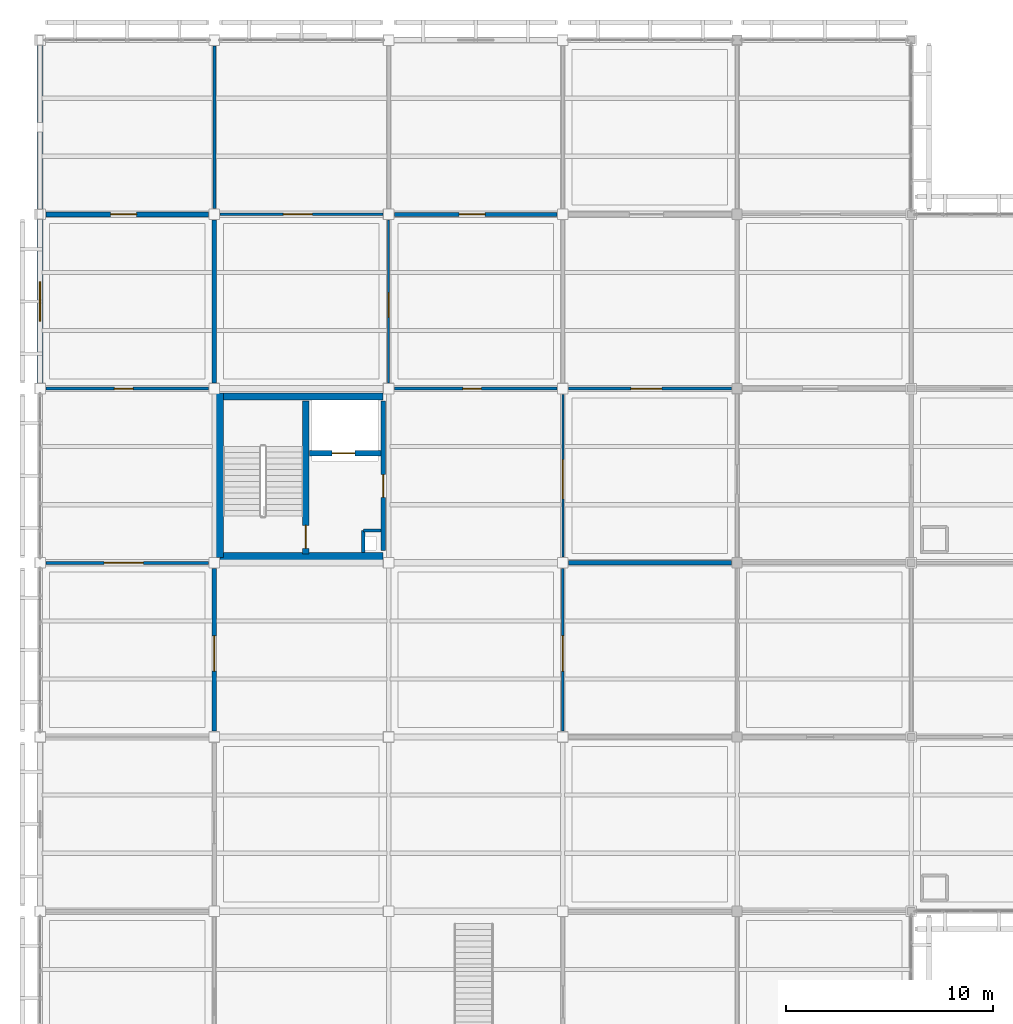
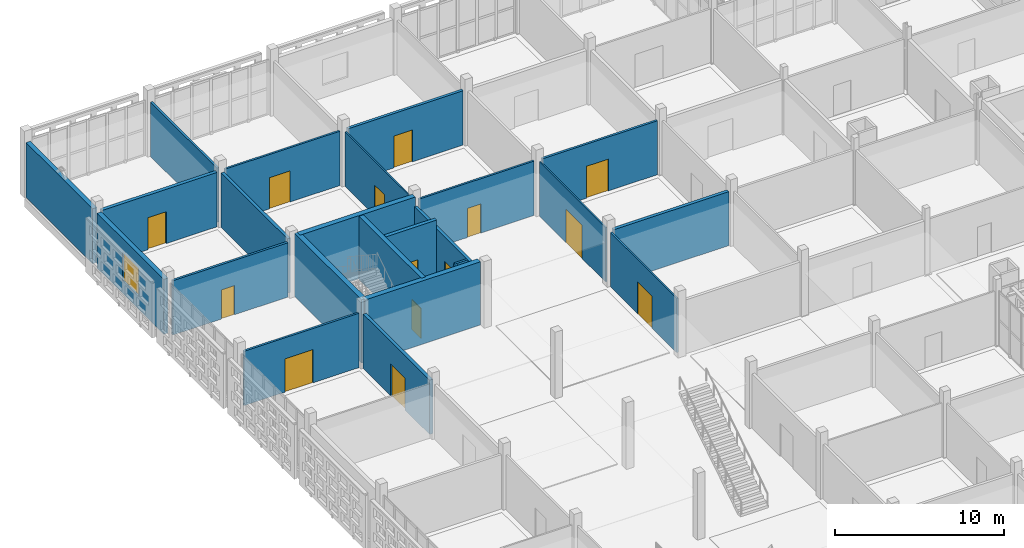
# One storey, part 120 of 203: 24 walls, 14 doors, 1 window, 15 openings.
"""IFC4 building model written with IfcOpenShell, lengths in metres."""

from ifc_helpers import new_model, si_unit, direction, frame, frame_2d, origin, place, context, subcontext, project, spatial, rectangle, extrude, material, layer, layer_set, type_object, element, fill, save


model = new_model("IFC4")

# Units and contexts
model_context = context("Model", 3, precision=1e-05, world=origin(), true_north=direction((0.0, 1.0)))
body_context = subcontext(model_context, "Body", "Model", "MODEL_VIEW")
ifc_project = project(units=[si_unit("LENGTHUNIT", "METRE"), si_unit("AREAUNIT", "SQUARE_METRE"), si_unit("VOLUMEUNIT", "CUBIC_METRE"), si_unit("PLANEANGLEUNIT", "RADIAN"), si_unit("MASSUNIT", "GRAM", prefix="KILO")], contexts=[model_context])

# Site, building, storey
site_placement = place(None, origin())
site = spatial("IfcSite", under=ifc_project, at=site_placement, CompositionType="ELEMENT")
building_placement = place(site_placement, origin())
building = spatial("IfcBuilding", under=site, at=building_placement, Name="Varnapada Polytechnic", CompositionType="ELEMENT")
storey_placement = place(building_placement, frame((0.0, 0.0, 4.800048828125)))
storey = spatial("IfcBuildingStorey", under=building, at=storey_placement, Name="L01", CompositionType="ELEMENT", Elevation=4.800048828125)

# Wall, opening, door
ifc_material_1 = material(Name="Autoclaved Aerated Concrete Block AAC-600", Category="concrete")
ifc_layer_1 = layer(ifc_material_1, 0.199951171875)
ifc_layer_set_1 = layer_set([ifc_layer_1], Name="Autoclaved Aerated Concrete Block AAC-600")
wall_type_1 = type_object("IfcWallType", Name="Interior Wall IW-01", PredefinedType="PARTITIONING", material=ifc_layer_set_1)
wall_1_placement = place(storey_placement, frame((16.5400390625, 108.60009765625, 0.0), z_axis=(0.0, 0.0, 1.0), x_axis=(0.0, -1.0, 0.0)))
wall_1 = element("IfcWall", 1, at=wall_1_placement, inside=storey, type_object=wall_type_1, Name="L01 C1 firefighting lobby east wall", PredefinedType="PARTITIONING", context=body_context, shape_type="SweptSolid", body=[
    extrude(rectangle(XDim=7.2001953125, YDim=0.199951171875, at=frame_2d((3.60009765625, 0.0))), origin(), (0.0, 0.0, 1.0), 3.919921875),
])
opening_1_placement = place(wall_1_placement, frame((3.550048828125, 0.0, 0.0)))
opening_1 = element("IfcOpeningElement", 2, at=opening_1_placement, cuts=wall_1, Name="Opening D-947", PredefinedType="OPENING", context=body_context, shape_type="SweptSolid", body=[
    extrude(rectangle(XDim=1.10009765625, YDim=2.14990234375, at=frame_2d((0.550048828125, 1.074951171875))), frame((0.0, 0.10986328125, 0.0), z_axis=(0.0, -1.0, 0.0), x_axis=(1.0, 0.0, 0.0)), (0.0, 0.0, 1.0), 0.219970703125),
])
ifc_material_2 = material(Name="Galvanized Steel Z275", Category="steel")
door_type_1 = type_object("IfcDoorType", Name="Interior Door ID-01", OperationType="NOTDEFINED", PredefinedType="DOOR", material=ifc_material_2)
door_1_placement = place(opening_1_placement, frame((1.10009765625, 0.0, 0.0), z_axis=(0.0, 0.0, 1.0), x_axis=(-1.0, 0.0, 0.0)))
door_1 = element("IfcDoor", 3, at=door_1_placement, inside=storey, type_object=door_type_1, Name="L01 C1 lobby fire door D-947", OperationType="SINGLE_SWING_LEFT", OverallHeight=2.14990234375, OverallWidth=1.10009765625, PredefinedType="DOOR", context=body_context, shape_type="SweptSolid", body=[
    extrude(rectangle(XDim=1.10009765625, YDim=2.14990234375, at=frame_2d((0.550048828125, 1.074951171875))), frame((0.0, 0.02490234375, 0.0), z_axis=(0.0, -1.0, 0.0), x_axis=(1.0, 0.0, 0.0)), (0.0, 0.0, 1.0), 0.050048828125),
])
fill(opening_1, door_1)

# Walls
ifc_layer_2 = layer(ifc_material_1, 0.14990234375)
ifc_layer_set_2 = layer_set([ifc_layer_2], Name="Autoclaved Aerated Concrete Block AAC-600")
wall_type_2 = type_object("IfcWallType", Name="Interior Wall IW-02", PredefinedType="PARTITIONING", material=ifc_layer_set_2)
wall_2_placement = place(storey_placement, frame((15.580078125, 102.360107421875, 0.0), z_axis=(0.0, 0.0, 1.0), x_axis=(0.0, -1.0, 0.0)))
element("IfcWall", 4, at=wall_2_placement, inside=storey, type_object=wall_type_2, Name="L01 C1 riser shaft west wall", PredefinedType="PARTITIONING", context=body_context, shape_type="SweptSolid", body=[
    extrude(rectangle(XDim=1.06005859375, YDim=0.14990234375, at=frame_2d((0.530029296875, 0.0))), origin(), (0.0, 0.0, 1.0), 3.919921875),
])
wall_3_placement = place(storey_placement, frame((15.580078125, 102.360107421875, 0.0), z_axis=(0.0, 0.0, 1.0), x_axis=(1.0, 0.0, 0.0)))
element("IfcWall", 5, at=wall_3_placement, inside=storey, type_object=wall_type_2, Name="L01 C1 riser shaft north wall", PredefinedType="PARTITIONING", context=body_context, shape_type="SweptSolid", body=[
    extrude(rectangle(XDim=0.85986328125, YDim=0.14990234375, at=frame_2d((0.429931640625, 0.0))), origin(), (0.0, 0.0, 1.0), 3.919921875),
])
wall_4_placement = place(storey_placement, frame((8.39990234375, 117.8798828125, 0.0), z_axis=(0.0, 0.0, 1.0), x_axis=(0.0, 1.0, 0.0)))
element("IfcWall", 6, at=wall_4_placement, inside=storey, type_object=wall_type_2, Name="L01 interior partition IW-L01-00-14-V", PredefinedType="PARTITIONING", context=body_context, shape_type="SweptSolid", body=[
    extrude(rectangle(XDim=7.840087890625, YDim=0.14990234375, at=frame_2d((3.919921875, 0.0))), origin(), (0.0, 0.0, 1.0), 3.919921875),
])

# Wall, opening, door
ifc_material_3 = material(Name="Glazed Timber-Framed Studio Screen", Category="wood")
ifc_layer_3 = layer(ifc_material_3, 0.110107421875)
ifc_layer_set_3 = layer_set([ifc_layer_3], Name="Glazed Timber-Framed Studio Screen")
wall_type_3 = type_object("IfcWallType", Name="Interior Wall IW-07", PredefinedType="PARTITIONING", material=ifc_layer_set_3)
wall_5_placement = place(storey_placement, frame((25.199951171875, 92.679931640625, 0.0), z_axis=(0.0, 0.0, 1.0), x_axis=(0.0, 1.0, 0.0)))
wall_5 = element("IfcWall", 7, at=wall_5_placement, inside=storey, type_object=wall_type_3, Name="L01 interior partition IW-L01-02-11-V", PredefinedType="PARTITIONING", context=body_context, shape_type="SweptSolid", body=[
    extrude(rectangle(XDim=7.840087890625, YDim=0.110107421875, at=frame_2d((3.919921875, 0.0))), origin(), (0.0, 0.0, 1.0), 3.919921875),
])
opening_2_placement = place(wall_5_placement, frame((2.89990234375, 0.0, 0.0)))
opening_2 = element("IfcOpeningElement", 8, at=opening_2_placement, cuts=wall_5, Name="Opening D-980", PredefinedType="OPENING", context=body_context, shape_type="SweptSolid", body=[
    extrude(rectangle(XDim=1.699951171875, YDim=2.300048828125, at=frame_2d((0.85009765625, 1.14990234375))), frame((0.0, 0.06494140625, 0.0), z_axis=(0.0, -1.0, 0.0), x_axis=(1.0, 0.0, 0.0)), (0.0, 0.0, 1.0), 0.130126953125),
])
ifc_material_4 = material(Name="Acoustic Double Timber Leaf", Category="wood")
door_type_2 = type_object("IfcDoorType", Name="Interior Door ID-13", OperationType="NOTDEFINED", PredefinedType="DOOR", material=ifc_material_4)
door_2_placement = place(opening_2_placement, frame((1.699951171875, 0.0, 0.0), z_axis=(0.0, 0.0, 1.0), x_axis=(-1.0, 0.0, 0.0)))
door_2 = element("IfcDoor", 9, at=door_2_placement, inside=storey, type_object=door_type_2, Name="L01 interior room door D-980", OperationType="SINGLE_SWING_LEFT", OverallHeight=2.300048828125, OverallWidth=1.699951171875, PredefinedType="DOOR", context=body_context, shape_type="SweptSolid", body=[
    extrude(rectangle(XDim=1.699951171875, YDim=2.300048828125, at=frame_2d((0.85009765625, 1.14990234375))), frame((0.0, 0.02490234375, 0.0), z_axis=(0.0, -1.0, 0.0), x_axis=(1.0, 0.0, 0.0)), (0.0, 0.0, 1.0), 0.050048828125),
])
fill(opening_2, door_2)

ifc_material_5 = material(Name="Operable Acoustic Seminar Partition")
ifc_layer_4 = layer(ifc_material_5, 0.10009765625)
ifc_layer_set_4 = layer_set([ifc_layer_4], Name="Operable Acoustic Seminar Partition")
wall_type_4 = type_object("IfcWallType", Name="Interior Wall IW-08", PredefinedType="MOVABLE", material=ifc_layer_set_4)
wall_6_placement = place(storey_placement, frame((16.800048828125, 109.47998046875, 0.0), z_axis=(0.0, 0.0, 1.0), x_axis=(0.0, 1.0, 0.0)))
wall_6 = element("IfcWall", 10, at=wall_6_placement, inside=storey, type_object=wall_type_4, Name="L01 interior partition IW-L01-01-13-V", PredefinedType="MOVABLE", context=body_context, shape_type="SweptSolid", body=[
    extrude(rectangle(XDim=7.840087890625, YDim=0.10009765625, at=frame_2d((3.919921875, 0.0))), origin(), (0.0, 0.0, 1.0), 3.919921875),
])
opening_3_placement = place(wall_6_placement, frame((3.14990234375, 0.0, 0.0)))
opening_3 = element("IfcOpeningElement", 11, at=opening_3_placement, cuts=wall_6, Name="Opening D-972", PredefinedType="OPENING", context=body_context, shape_type="SweptSolid", body=[
    extrude(rectangle(XDim=1.199951171875, YDim=2.199951171875, at=frame_2d((0.60009765625, 1.10009765625))), frame((0.0, 0.06005859375, 0.0), z_axis=(0.0, -1.0, 0.0), x_axis=(1.0, 0.0, 0.0)), (0.0, 0.0, 1.0), 0.1201171875),
])
ifc_material_6 = material(Name="Solid Teak Hardwood Timber", Category="wood")
door_type_3 = type_object("IfcDoorType", Name="Interior Door ID-05", OperationType="NOTDEFINED", PredefinedType="DOOR", material=ifc_material_6)
door_3_placement = place(opening_3_placement, origin())
door_3 = element("IfcDoor", 12, at=door_3_placement, inside=storey, type_object=door_type_3, Name="L01 interior room door D-972", OperationType="SINGLE_SWING_LEFT", OverallHeight=2.199951171875, OverallWidth=1.199951171875, PredefinedType="DOOR", context=body_context, shape_type="SweptSolid", body=[
    extrude(rectangle(XDim=1.199951171875, YDim=2.199951171875, at=frame_2d((0.60009765625, 1.10009765625))), frame((0.0, 0.02490234375, 0.0), z_axis=(0.0, -1.0, 0.0), x_axis=(1.0, 0.0, 0.0)), (0.0, 0.0, 1.0), 0.050048828125),
])
fill(opening_3, door_3)

wall_7_placement = place(storey_placement, frame((25.199951171875, 101.080078125, 0.0), z_axis=(0.0, 0.0, 1.0), x_axis=(0.0, 1.0, 0.0)))
wall_7 = element("IfcWall", 13, at=wall_7_placement, inside=storey, type_object=wall_type_4, Name="L01 interior partition IW-L01-02-12-V", PredefinedType="MOVABLE", context=body_context, shape_type="SweptSolid", body=[
    extrude(rectangle(XDim=7.83984375, YDim=0.10009765625, at=frame_2d((3.919921875, 0.0))), origin(), (0.0, 0.0, 1.0), 3.919921875),
])
opening_4_placement = place(wall_7_placement, frame((2.800048828125, 0.0, 0.0)))
opening_4 = element("IfcOpeningElement", 14, at=opening_4_placement, cuts=wall_7, Name="Opening D-981", PredefinedType="OPENING", context=body_context, shape_type="SweptSolid", body=[
    extrude(rectangle(XDim=1.89990234375, YDim=2.39990234375, at=frame_2d((0.949951171875, 1.199951171875))), frame((0.0, 0.06005859375, 0.0), z_axis=(0.0, -1.0, 0.0), x_axis=(1.0, 0.0, 0.0)), (0.0, 0.0, 1.0), 0.1201171875),
])
ifc_material_7 = material(Name="Heavy Workshop Double Steel Door", Category="steel")
door_type_4 = type_object("IfcDoorType", Name="Interior Door ID-14", OperationType="NOTDEFINED", PredefinedType="DOOR", material=ifc_material_7)
door_4_placement = place(opening_4_placement, origin())
door_4 = element("IfcDoor", 15, at=door_4_placement, inside=storey, type_object=door_type_4, Name="L01 interior room door D-981", OperationType="SINGLE_SWING_RIGHT", OverallHeight=2.39990234375, OverallWidth=1.89990234375, PredefinedType="DOOR", context=body_context, shape_type="SweptSolid", body=[
    extrude(rectangle(XDim=1.89990234375, YDim=2.39990234375, at=frame_2d((0.949951171875, 1.199951171875))), frame((0.0, 0.02490234375, 0.0), z_axis=(0.0, -1.0, 0.0), x_axis=(1.0, 0.0, 0.0)), (0.0, 0.0, 1.0), 0.050048828125),
])
fill(opening_4, door_4)

ifc_material_8 = material(Name="Calcium Silicate Acoustic Lab Partition")
ifc_layer_5 = layer(ifc_material_8, 0.135009765625)
ifc_layer_set_5 = layer_set([ifc_layer_5], Name="Calcium Silicate Acoustic Lab Partition")
wall_type_5 = type_object("IfcWallType", Name="Interior Wall IW-09", PredefinedType="PARTITIONING", material=ifc_layer_set_5)
wall_8_placement = place(storey_placement, frame((8.679931640625, 117.60009765625, 0.0), z_axis=(0.0, 0.0, 1.0), x_axis=(1.0, 0.0, 0.0)))
wall_8 = element("IfcWall", 16, at=wall_8_placement, inside=storey, type_object=wall_type_5, Name="L01 interior partition IW-L01-01-13-H", PredefinedType="PARTITIONING", context=body_context, shape_type="SweptSolid", body=[
    extrude(rectangle(XDim=7.840087890625, YDim=0.135009765625, at=frame_2d((3.919921875, 0.0))), origin(), (0.0, 0.0, 1.0), 3.919921875),
])
opening_5_placement = place(wall_8_placement, frame((3.050048828125, 0.0, 0.0)))
opening_5 = element("IfcOpeningElement", 17, at=opening_5_placement, cuts=wall_8, Name="Opening D-973", PredefinedType="OPENING", context=body_context, shape_type="SweptSolid", body=[
    extrude(rectangle(XDim=1.39990234375, YDim=2.25, at=frame_2d((0.699951171875, 1.125))), frame((0.0, 0.077392578125, 0.0), z_axis=(0.0, -1.0, 0.0), x_axis=(1.0, 0.0, 0.0)), (0.0, 0.0, 1.0), 0.155029296875),
])
ifc_material_9 = material(Name="Powder-Coated Aluminium 6063-T6", Category="aluminium")
door_type_5 = type_object("IfcDoorType", Name="Interior Door ID-06", OperationType="NOTDEFINED", PredefinedType="DOOR", material=ifc_material_9)
door_5_placement = place(opening_5_placement, origin())
door_5 = element("IfcDoor", 18, at=door_5_placement, inside=storey, type_object=door_type_5, Name="L01 interior room door D-973", OperationType="SINGLE_SWING_RIGHT", OverallHeight=2.25, OverallWidth=1.39990234375, PredefinedType="DOOR", context=body_context, shape_type="SweptSolid", body=[
    extrude(rectangle(XDim=1.39990234375, YDim=2.25, at=frame_2d((0.699951171875, 1.125))), frame((0.0, 0.02490234375, 0.0), z_axis=(0.0, -1.0, 0.0), x_axis=(1.0, 0.0, 0.0)), (0.0, 0.0, 1.0), 0.050048828125),
])
fill(opening_5, door_5)

wall_9_placement = place(storey_placement, frame((17.080078125, 109.199951171875, 0.0), z_axis=(0.0, 0.0, 1.0), x_axis=(1.0, 0.0, 0.0)))
wall_9 = element("IfcWall", 19, at=wall_9_placement, inside=storey, type_object=wall_type_5, Name="L01 interior partition IW-L01-02-12-H", PredefinedType="PARTITIONING", context=body_context, shape_type="SweptSolid", body=[
    extrude(rectangle(XDim=7.83984375, YDim=0.135009765625, at=frame_2d((3.919921875, 0.0))), origin(), (0.0, 0.0, 1.0), 3.919921875),
])
opening_6_placement = place(wall_9_placement, frame((3.300048828125, 0.0, 0.0)))
opening_6 = element("IfcOpeningElement", 20, at=opening_6_placement, cuts=wall_9, Name="Opening D-982", PredefinedType="OPENING", context=body_context, shape_type="SweptSolid", body=[
    extrude(rectangle(XDim=0.89990234375, YDim=2.10009765625, at=frame_2d((0.449951171875, 1.050048828125))), frame((0.0, 0.077392578125, 0.0), z_axis=(0.0, -1.0, 0.0), x_axis=(1.0, 0.0, 0.0)), (0.0, 0.0, 1.0), 0.155029296875),
])
ifc_material_10 = material(Name="Moisture-Resistant HPL Timber", Category="wood")
door_type_6 = type_object("IfcDoorType", Name="Interior Door ID-15", OperationType="NOTDEFINED", PredefinedType="DOOR", material=ifc_material_10)
door_6_placement = place(opening_6_placement, origin())
door_6 = element("IfcDoor", 21, at=door_6_placement, inside=storey, type_object=door_type_6, Name="L01 interior room door D-982", OperationType="SINGLE_SWING_LEFT", OverallHeight=2.10009765625, OverallWidth=0.89990234375, PredefinedType="DOOR", context=body_context, shape_type="SweptSolid", body=[
    extrude(rectangle(XDim=0.89990234375, YDim=2.10009765625, at=frame_2d((0.449951171875, 1.050048828125))), frame((0.0, 0.02490234375, 0.0), z_axis=(0.0, -1.0, 0.0), x_axis=(1.0, 0.0, 0.0)), (0.0, 0.0, 1.0), 0.050048828125),
])
fill(opening_6, door_6)

ifc_material_11 = material(Name="Insulated Masonry Plant Room Wall", Category="masonry")
ifc_layer_6 = layer(ifc_material_11, 0.18994140625)
ifc_layer_set_6 = layer_set([ifc_layer_6], Name="Insulated Masonry Plant Room Wall")
wall_type_6 = type_object("IfcWallType", Name="Interior Wall IW-11", PredefinedType="PARTITIONING", material=ifc_layer_set_6)
wall_10_placement = place(storey_placement, frame((17.080078125, 117.60009765625, 0.0), z_axis=(0.0, 0.0, 1.0), x_axis=(1.0, 0.0, 0.0)))
wall_10 = element("IfcWall", 22, at=wall_10_placement, inside=storey, type_object=wall_type_6, Name="L01 interior partition IW-L01-02-13-H", PredefinedType="PARTITIONING", context=body_context, shape_type="SweptSolid", body=[
    extrude(rectangle(XDim=7.83984375, YDim=0.18994140625, at=frame_2d((3.919921875, 0.0))), origin(), (0.0, 0.0, 1.0), 3.919921875),
])
opening_7_placement = place(wall_10_placement, frame((3.125, 0.0, 0.0)))
opening_7 = element("IfcOpeningElement", 23, at=opening_7_placement, cuts=wall_10, Name="Opening D-983", PredefinedType="OPENING", context=body_context, shape_type="SweptSolid", body=[
    extrude(rectangle(XDim=1.25, YDim=2.300048828125, at=frame_2d((0.625, 1.14990234375))), frame((0.0, 0.10498046875, 0.0), z_axis=(0.0, -1.0, 0.0), x_axis=(1.0, 0.0, 0.0)), (0.0, 0.0, 1.0), 0.2099609375),
])
door_type_7 = type_object("IfcDoorType", Name="Interior Door ID-16", OperationType="NOTDEFINED", PredefinedType="DOOR", material=ifc_material_6)
door_7_placement = place(opening_7_placement, frame((1.25, 0.0, 0.0), z_axis=(0.0, 0.0, 1.0), x_axis=(-1.0, 0.0, 0.0)))
door_7 = element("IfcDoor", 24, at=door_7_placement, inside=storey, type_object=door_type_7, Name="L01 interior room door D-983", OperationType="SINGLE_SWING_RIGHT", OverallHeight=2.300048828125, OverallWidth=1.25, PredefinedType="DOOR", context=body_context, shape_type="SweptSolid", body=[
    extrude(rectangle(XDim=1.25, YDim=2.300048828125, at=frame_2d((0.625, 1.14990234375))), frame((0.0, 0.02490234375, 0.0), z_axis=(0.0, -1.0, 0.0), x_axis=(1.0, 0.0, 0.0)), (0.0, 0.0, 1.0), 0.050048828125),
])
fill(opening_7, door_7)

ifc_material_12 = material(Name="Heavy Acoustic Auditorium Baffle Wall")
ifc_layer_7 = layer(ifc_material_12, 0.219970703125)
ifc_layer_set_7 = layer_set([ifc_layer_7], Name="Heavy Acoustic Auditorium Baffle Wall")
wall_type_7 = type_object("IfcWallType", Name="Interior Wall IW-13", PredefinedType="PARTITIONING", material=ifc_layer_set_7)
wall_11_placement = place(storey_placement, frame((8.39990234375, 92.679931640625, 0.0), z_axis=(0.0, 0.0, 1.0), x_axis=(0.0, 1.0, 0.0)))
wall_11 = element("IfcWall", 25, at=wall_11_placement, inside=storey, type_object=wall_type_7, Name="L01 interior partition IW-L01-00-11-V", PredefinedType="PARTITIONING", context=body_context, shape_type="SweptSolid", body=[
    extrude(rectangle(XDim=7.840087890625, YDim=0.219970703125, at=frame_2d((3.919921875, 0.0))), origin(), (0.0, 0.0, 1.0), 3.919921875),
])
opening_8_placement = place(wall_11_placement, frame((2.89990234375, 0.0, 0.0)))
opening_8 = element("IfcOpeningElement", 26, at=opening_8_placement, cuts=wall_11, Name="Opening D-963", PredefinedType="OPENING", context=body_context, shape_type="SweptSolid", body=[
    extrude(rectangle(XDim=1.699951171875, YDim=2.300048828125, at=frame_2d((0.85009765625, 1.14990234375))), frame((0.0, 0.119873046875, 0.0), z_axis=(0.0, -1.0, 0.0), x_axis=(1.0, 0.0, 0.0)), (0.0, 0.0, 1.0), 0.239990234375),
])
door_8_placement = place(opening_8_placement, origin())
door_8 = element("IfcDoor", 27, at=door_8_placement, inside=storey, type_object=door_type_2, Name="L01 interior room door D-963", OperationType="SINGLE_SWING_RIGHT", OverallHeight=2.300048828125, OverallWidth=1.699951171875, PredefinedType="DOOR", context=body_context, shape_type="SweptSolid", body=[
    extrude(rectangle(XDim=1.699951171875, YDim=2.300048828125, at=frame_2d((0.85009765625, 1.14990234375))), frame((0.0, 0.02490234375, 0.0), z_axis=(0.0, -1.0, 0.0), x_axis=(1.0, 0.0, 0.0)), (0.0, 0.0, 1.0), 0.050048828125),
])
fill(opening_8, door_8)

# Wall
wall_12_placement = place(storey_placement, frame((25.47998046875, 100.800048828125, 0.0), z_axis=(0.0, 0.0, 1.0), x_axis=(1.0, 0.0, 0.0)))
element("IfcWall", 28, at=wall_12_placement, inside=storey, type_object=wall_type_7, Name="L01 interior partition IW-L01-03-11-H", PredefinedType="PARTITIONING", context=body_context, shape_type="SweptSolid", body=[
    extrude(rectangle(XDim=7.85009765625, YDim=0.219970703125, at=frame_2d((3.925048828125, 0.0))), origin(), (0.0, 0.0, 1.0), 3.889892578125),
])

# Wall, opening, door
ifc_material_13 = material(Name="Ceramic-Tiled Wet Laboratory Wall")
ifc_layer_8 = layer(ifc_material_13, 0.14501953125)
ifc_layer_set_8 = layer_set([ifc_layer_8], Name="Ceramic-Tiled Wet Laboratory Wall")
wall_type_8 = type_object("IfcWallType", Name="Interior Wall IW-14", PredefinedType="PARTITIONING", material=ifc_layer_set_8)
wall_13_placement = place(storey_placement, frame((0.280029296875, 100.800048828125, 0.0), z_axis=(0.0, 0.0, 1.0), x_axis=(1.0, 0.0, 0.0)))
wall_13 = element("IfcWall", 29, at=wall_13_placement, inside=storey, type_object=wall_type_8, Name="L01 interior partition IW-L01-00-11-H", PredefinedType="PARTITIONING", context=body_context, shape_type="SweptSolid", body=[
    extrude(rectangle(XDim=7.840087890625, YDim=0.14501953125, at=frame_2d((3.919921875, 0.0))), origin(), (0.0, 0.0, 1.0), 3.919921875),
])
opening_9_placement = place(wall_13_placement, frame((2.800048828125, 0.0, 0.0)))
opening_9 = element("IfcOpeningElement", 30, at=opening_9_placement, cuts=wall_13, Name="Opening D-964", PredefinedType="OPENING", context=body_context, shape_type="SweptSolid", body=[
    extrude(rectangle(XDim=1.89990234375, YDim=2.39990234375, at=frame_2d((0.949951171875, 1.199951171875))), frame((0.0, 0.08251953125, 0.0), z_axis=(0.0, -1.0, 0.0), x_axis=(1.0, 0.0, 0.0)), (0.0, 0.0, 1.0), 0.1650390625),
])
door_9_placement = place(opening_9_placement, origin())
door_9 = element("IfcDoor", 31, at=door_9_placement, inside=storey, type_object=door_type_4, Name="L01 interior room door D-964", OperationType="SINGLE_SWING_LEFT", OverallHeight=2.39990234375, OverallWidth=1.89990234375, PredefinedType="DOOR", context=body_context, shape_type="SweptSolid", body=[
    extrude(rectangle(XDim=1.89990234375, YDim=2.39990234375, at=frame_2d((0.949951171875, 1.199951171875))), frame((0.0, 0.02490234375, 0.0), z_axis=(0.0, -1.0, 0.0), x_axis=(1.0, 0.0, 0.0)), (0.0, 0.0, 1.0), 0.050048828125),
])
fill(opening_9, door_9)

ifc_material_14 = material(Name="Perforated Timber-Lined Seminar Wall", Category="wood")
ifc_layer_9 = layer(ifc_material_14, 0.155029296875)
ifc_layer_set_9 = layer_set([ifc_layer_9], Name="Perforated Timber-Lined Seminar Wall")
wall_type_9 = type_object("IfcWallType", Name="Interior Wall IW-15", PredefinedType="PARTITIONING", material=ifc_layer_set_9)
wall_14_placement = place(storey_placement, frame((0.280029296875, 109.199951171875, 0.0), z_axis=(0.0, 0.0, 1.0), x_axis=(1.0, 0.0, 0.0)))
wall_14 = element("IfcWall", 32, at=wall_14_placement, inside=storey, type_object=wall_type_9, Name="L01 interior partition IW-L01-00-12-H", PredefinedType="PARTITIONING", context=body_context, shape_type="SweptSolid", body=[
    extrude(rectangle(XDim=7.840087890625, YDim=0.155029296875, at=frame_2d((3.919921875, 0.0))), origin(), (0.0, 0.0, 1.0), 3.919921875),
])
opening_10_placement = place(wall_14_placement, frame((3.300048828125, 0.0, 0.0)))
opening_10 = element("IfcOpeningElement", 33, at=opening_10_placement, cuts=wall_14, Name="Opening D-965", PredefinedType="OPENING", context=body_context, shape_type="SweptSolid", body=[
    extrude(rectangle(XDim=0.89990234375, YDim=2.10009765625, at=frame_2d((0.449951171875, 1.050048828125))), frame((0.0, 0.08740234375, 0.0), z_axis=(0.0, -1.0, 0.0), x_axis=(1.0, 0.0, 0.0)), (0.0, 0.0, 1.0), 0.175048828125),
])
door_10_placement = place(opening_10_placement, frame((0.89990234375, 0.0, 0.0), z_axis=(0.0, 0.0, 1.0), x_axis=(-1.0, 0.0, 0.0)))
door_10 = element("IfcDoor", 34, at=door_10_placement, inside=storey, type_object=door_type_6, Name="L01 interior room door D-965", OperationType="SINGLE_SWING_RIGHT", OverallHeight=2.10009765625, OverallWidth=0.89990234375, PredefinedType="DOOR", context=body_context, shape_type="SweptSolid", body=[
    extrude(rectangle(XDim=0.89990234375, YDim=2.10009765625, at=frame_2d((0.449951171875, 1.050048828125))), frame((0.0, 0.02490234375, 0.0), z_axis=(0.0, -1.0, 0.0), x_axis=(1.0, 0.0, 0.0)), (0.0, 0.0, 1.0), 0.050048828125),
])
fill(opening_10, door_10)

wall_15_placement = place(storey_placement, frame((25.47998046875, 109.199951171875, 0.0), z_axis=(0.0, 0.0, 1.0), x_axis=(1.0, 0.0, 0.0)))
wall_15 = element("IfcWall", 35, at=wall_15_placement, inside=storey, type_object=wall_type_9, Name="L01 interior partition IW-L01-03-12-H", PredefinedType="PARTITIONING", context=body_context, shape_type="SweptSolid", body=[
    extrude(rectangle(XDim=7.860107421875, YDim=0.155029296875, at=frame_2d((3.93017578125, 0.0))), origin(), (0.0, 0.0, 1.0), 3.889892578125),
])
opening_11_placement = place(wall_15_placement, frame((3.0, 0.0, 0.0)))
opening_11 = element("IfcOpeningElement", 36, at=opening_11_placement, cuts=wall_15, Name="Opening D-991", PredefinedType="OPENING", context=body_context, shape_type="SweptSolid", body=[
    extrude(rectangle(XDim=1.5, YDim=2.300048828125, at=frame_2d((0.75, 1.14990234375))), frame((0.0, 0.08740234375, 0.0), z_axis=(0.0, -1.0, 0.0), x_axis=(1.0, 0.0, 0.0)), (0.0, 0.0, 1.0), 0.175048828125),
])
door_type_8 = type_object("IfcDoorType", Name="Interior Door ID-07", OperationType="NOTDEFINED", PredefinedType="DOOR", material=ifc_material_2)
door_11_placement = place(opening_11_placement, origin())
door_11 = element("IfcDoor", 37, at=door_11_placement, inside=storey, type_object=door_type_8, Name="L01 interior room door D-991", OperationType="SINGLE_SWING_RIGHT", OverallHeight=2.300048828125, OverallWidth=1.5, PredefinedType="DOOR", context=body_context, shape_type="SweptSolid", body=[
    extrude(rectangle(XDim=1.5, YDim=2.300048828125, at=frame_2d((0.75, 1.14990234375))), frame((0.0, 0.02490234375, 0.0), z_axis=(0.0, -1.0, 0.0), x_axis=(1.0, 0.0, 0.0)), (0.0, 0.0, 1.0), 0.050048828125),
])
fill(opening_11, door_11)

# Wall
ifc_material_15 = material(Name="Heavy Masonry Workshop Partition", Category="masonry")
ifc_layer_10 = layer(ifc_material_15, 0.2099609375)
ifc_layer_set_10 = layer_set([ifc_layer_10], Name="Heavy Masonry Workshop Partition")
wall_type_10 = type_object("IfcWallType", Name="Interior Wall IW-16", PredefinedType="PARTITIONING", material=ifc_layer_set_10)
wall_16_placement = place(storey_placement, frame((8.39990234375, 109.47998046875, 0.0), z_axis=(0.0, 0.0, 1.0), x_axis=(0.0, 1.0, 0.0)))
element("IfcWall", 38, at=wall_16_placement, inside=storey, type_object=wall_type_10, Name="L01 interior partition IW-L01-00-13-V", PredefinedType="PARTITIONING", context=body_context, shape_type="SweptSolid", body=[
    extrude(rectangle(XDim=7.840087890625, YDim=0.2099609375, at=frame_2d((3.919921875, 0.0))), origin(), (0.0, 0.0, 1.0), 3.919921875),
])

# Wall, opening, door
ifc_material_16 = material(Name="Double-Leaf Acoustic Lecture Wall")
ifc_layer_11 = layer(ifc_material_16, 0.235107421875)
ifc_layer_set_11 = layer_set([ifc_layer_11], Name="Double-Leaf Acoustic Lecture Wall")
wall_type_11 = type_object("IfcWallType", Name="Interior Wall IW-17", PredefinedType="PARTITIONING", material=ifc_layer_set_11)
wall_17_placement = place(storey_placement, frame((0.280029296875, 117.60009765625, 0.0), z_axis=(0.0, 0.0, 1.0), x_axis=(1.0, 0.0, 0.0)))
wall_17 = element("IfcWall", 39, at=wall_17_placement, inside=storey, type_object=wall_type_11, Name="L01 interior partition IW-L01-00-13-H", PredefinedType="PARTITIONING", context=body_context, shape_type="SweptSolid", body=[
    extrude(rectangle(XDim=7.840087890625, YDim=0.235107421875, at=frame_2d((3.919921875, 0.0))), origin(), (0.0, 0.0, 1.0), 3.919921875),
])
opening_12_placement = place(wall_17_placement, frame((3.125, 0.0, 0.0)))
opening_12 = element("IfcOpeningElement", 40, at=opening_12_placement, cuts=wall_17, Name="Opening D-966", PredefinedType="OPENING", context=body_context, shape_type="SweptSolid", body=[
    extrude(rectangle(XDim=1.25, YDim=2.300048828125, at=frame_2d((0.625, 1.14990234375))), frame((0.0, 0.12744140625, 0.0), z_axis=(0.0, -1.0, 0.0), x_axis=(1.0, 0.0, 0.0)), (0.0, 0.0, 1.0), 0.255126953125),
])
door_12_placement = place(opening_12_placement, origin())
door_12 = element("IfcDoor", 41, at=door_12_placement, inside=storey, type_object=door_type_7, Name="L01 interior room door D-966", OperationType="SINGLE_SWING_LEFT", OverallHeight=2.300048828125, OverallWidth=1.25, PredefinedType="DOOR", context=body_context, shape_type="SweptSolid", body=[
    extrude(rectangle(XDim=1.25, YDim=2.300048828125, at=frame_2d((0.625, 1.14990234375))), frame((0.0, 0.02490234375, 0.0), z_axis=(0.0, -1.0, 0.0), x_axis=(1.0, 0.0, 0.0)), (0.0, 0.0, 1.0), 0.050048828125),
])
fill(opening_12, door_12)

# Walls
ifc_material_17 = material(Name="Concrete C40/50", Category="concrete")
ifc_layer_12 = layer(ifc_material_17, 0.35009765625)
ifc_layer_set_12 = layer_set([ifc_layer_12], Name="Concrete C40/50")
wall_type_12 = type_object("IfcWallType", Name="Interior Wall SW-01", PredefinedType="SHEAR", material=ifc_layer_set_12)
wall_18_placement = place(storey_placement, frame((8.6650390625, 101.050048828125, 0.0), z_axis=(0.0, 0.0, 1.0), x_axis=(0.0, 1.0, 0.0)))
element("IfcWall", 42, at=wall_18_placement, inside=storey, type_object=wall_type_12, Name="L01 C1 stair west shear wall", PredefinedType="SHEAR", context=body_context, shape_type="SweptSolid", body=[
    extrude(rectangle(XDim=7.93994140625, YDim=0.35009765625, at=frame_2d((3.969970703125, 0.0))), origin(), (0.0, 0.0, 1.0), 4.56005859375),
])
for number, where, z_axis, x_axis, name in (
    (43, (8.6650390625, 108.820068359375, 0.0), (0.0, 0.0, 1.0), (1.0, 0.0, 0.0), "L01 C1 core north shear wall"),
    (44, (16.5400390625, 101.1201171875, 0.0), (0.0, 0.0, 1.0), (-1.0, 0.0, 0.0), "L01 C1 core south shear wall"),
):
    element("IfcWall", number, at=place(storey_placement, frame(where, z_axis=z_axis, x_axis=x_axis)), inside=storey, type_object=wall_type_12, Name=name, PredefinedType="SHEAR", context=body_context, shape_type="SweptSolid", body=[
        extrude(rectangle(XDim=7.875, YDim=0.35009765625, at=frame_2d((3.9375, 0.0))), origin(), (0.0, 0.0, 1.0), 4.56005859375),
    ])

# Wall, opening, door
ifc_layer_13 = layer(ifc_material_17, 0.300048828125)
ifc_layer_set_13 = layer_set([ifc_layer_13], Name="Concrete C40/50")
wall_type_13 = type_object("IfcWallType", Name="Interior Wall SW-02", PredefinedType="SHEAR", material=ifc_layer_set_13)
wall_19_placement = place(storey_placement, frame((12.81005859375, 101.219970703125, 0.0), z_axis=(0.0, 0.0, 1.0), x_axis=(0.0, 1.0, 0.0)))
wall_19 = element("IfcWall", 45, at=wall_19_placement, inside=storey, type_object=wall_type_13, Name="L01 C1 stair-lobby dividing shear wall", PredefinedType="SHEAR", context=body_context, shape_type="SweptSolid", body=[
    extrude(rectangle(XDim=7.380126953125, YDim=0.300048828125, at=frame_2d((3.68994140625, 0.0))), origin(), (0.0, 0.0, 1.0), 4.56005859375),
])
opening_13_placement = place(wall_19_placement, frame((0.280029296875, 0.0, 0.0)))
opening_13 = element("IfcOpeningElement", 46, at=opening_13_placement, cuts=wall_19, Name="Opening D-948", PredefinedType="OPENING", context=body_context, shape_type="SweptSolid", body=[
    extrude(rectangle(XDim=1.10009765625, YDim=2.14990234375, at=frame_2d((0.550048828125, 1.074951171875))), frame((0.0, 0.159912109375, 0.0), z_axis=(0.0, -1.0, 0.0), x_axis=(1.0, 0.0, 0.0)), (0.0, 0.0, 1.0), 0.320068359375),
])
door_13_placement = place(opening_13_placement, origin())
door_13 = element("IfcDoor", 47, at=door_13_placement, inside=storey, type_object=door_type_1, Name="L01 C1 exit stair door D-948", OperationType="SINGLE_SWING_LEFT", OverallHeight=2.14990234375, OverallWidth=1.10009765625, PredefinedType="DOOR", context=body_context, shape_type="SweptSolid", body=[
    extrude(rectangle(XDim=1.10009765625, YDim=2.14990234375, at=frame_2d((0.550048828125, 1.074951171875))), frame((0.0, 0.02490234375, 0.0), z_axis=(0.0, -1.0, 0.0), x_axis=(1.0, 0.0, 0.0)), (0.0, 0.0, 1.0), 0.050048828125),
])
fill(opening_13, door_13)

ifc_layer_14 = layer(ifc_material_17, 0.25)
ifc_layer_set_14 = layer_set([ifc_layer_14], Name="Concrete C40/50")
wall_type_14 = type_object("IfcWallType", Name="Interior Wall SW-05", PredefinedType="SHEAR", material=ifc_layer_set_14)
wall_20_placement = place(storey_placement, frame((12.97998046875, 106.080078125, 0.0), z_axis=(0.0, 0.0, 1.0), x_axis=(1.0, 0.0, 0.0)))
wall_20 = element("IfcWall", 48, at=wall_20_placement, inside=storey, type_object=wall_type_14, Name="L01 C1 lift shaft front wall", PredefinedType="SHEAR", context=body_context, shape_type="SweptSolid", body=[
    extrude(rectangle(XDim=3.4599609375, YDim=0.25, at=frame_2d((1.72998046875, 0.0))), origin(), (0.0, 0.0, 1.0), 4.56005859375),
])
opening_14_placement = place(wall_20_placement, frame((1.10009765625, 0.0, 0.0)))
opening_14 = element("IfcOpeningElement", 49, at=opening_14_placement, cuts=wall_20, Name="Opening LD-014", PredefinedType="OPENING", context=body_context, shape_type="SweptSolid", body=[
    extrude(rectangle(XDim=1.10009765625, YDim=2.14990234375, at=frame_2d((0.550048828125, 1.074951171875))), frame((0.0, 0.135009765625, 0.0), z_axis=(0.0, -1.0, 0.0), x_axis=(1.0, 0.0, 0.0)), (0.0, 0.0, 1.0), 0.27001953125),
])
ifc_material_18 = material(Name="Brushed Stainless Steel 316", Category="steel")
door_type_9 = type_object("IfcDoorType", Name="Interior Door LD-01", OperationType="NOTDEFINED", PredefinedType="DOOR", material=ifc_material_18)
door_14_placement = place(opening_14_placement, origin())
door_14 = element("IfcDoor", 50, at=door_14_placement, inside=storey, type_object=door_type_9, Name="L01 LFT-01 sliding lift landing door LD-014", OperationType="DOUBLE_DOOR_SLIDING", OverallHeight=2.14990234375, OverallWidth=1.10009765625, PredefinedType="DOOR", context=body_context, shape_type="SweptSolid", body=[
    extrude(rectangle(XDim=1.10009765625, YDim=2.14990234375, at=frame_2d((0.550048828125, 1.074951171875))), frame((0.0, 0.02490234375, 0.0), z_axis=(0.0, -1.0, 0.0), x_axis=(1.0, 0.0, 0.0)), (0.0, 0.0, 1.0), 0.050048828125),
])
fill(opening_14, door_14)

# Wall, opening, window
ifc_material_19 = material(Name="Precast concrete C40/50", Category="concrete")
ifc_layer_15 = layer(ifc_material_19, 0.300048828125)
ifc_layer_set_15 = layer_set([ifc_layer_15], Name="Precast concrete C40/50")
wall_type_15 = type_object("IfcWallType", Name="Wall EW-01", PredefinedType="SOLIDWALL", material=ifc_layer_set_15)
wall_21_placement = place(storey_placement, frame((0.0, 109.4599609375, 0.0), z_axis=(0.0, 0.0, 1.0), x_axis=(0.0, 1.0, 0.0)))
wall_21 = element("IfcWall", 51, at=wall_21_placement, inside=storey, type_object=wall_type_15, Name="L01 exterior wall EW-01 (10)", PredefinedType="SOLIDWALL", context=body_context, shape_type="SweptSolid", body=[
    extrude(rectangle(XDim=7.880126953125, YDim=0.300048828125, at=frame_2d((3.93994140625, 0.0))), origin(), (0.0, 0.0, 1.0), 3.9599609375),
])
opening_15_placement = place(wall_21_placement, frame((2.989990234375, 0.0, 0.89990234375)))
opening_15 = element("IfcOpeningElement", 52, at=opening_15_placement, cuts=wall_21, Name="Opening WN-18", PredefinedType="OPENING", context=body_context, shape_type="SweptSolid", body=[
    extrude(rectangle(XDim=1.89990234375, YDim=2.050048828125, at=frame_2d((0.949951171875, 1.02490234375))), frame((0.0, 0.159912109375, 0.0), z_axis=(0.0, -1.0, 0.0), x_axis=(1.0, 0.0, 0.0)), (0.0, 0.0, 1.0), 0.320068359375),
])
ifc_material_20 = material(Name="Double low-E laminated glass", Category="glass")
window_type = type_object("IfcWindowType", Name="Window WN-18", PartitioningType="SINGLE_PANEL", PredefinedType="WINDOW", material=ifc_material_20)
window_placement = place(opening_15_placement, origin())
window = element("IfcWindow", 53, at=window_placement, inside=storey, type_object=window_type, Name="L01 window WN-18 (68)", OverallHeight=2.050048828125, OverallWidth=1.89990234375, PartitioningType="SINGLE_PANEL", PredefinedType="WINDOW", context=body_context, shape_type="SweptSolid", body=[
    extrude(rectangle(XDim=1.89990234375, YDim=2.050048828125, at=frame_2d((0.949951171875, 1.02490234375))), frame((0.0, 0.030029296875, 0.0), z_axis=(0.0, -1.0, 0.0), x_axis=(1.0, 0.0, 0.0)), (0.0, 0.0, 1.0), 0.06005859375),
])
fill(opening_15, window)

# Wall
wall_22_placement = place(storey_placement, frame((0.0, 117.860107421875, 0.0), z_axis=(0.0, 0.0, 1.0), x_axis=(0.0, 1.0, 0.0)))
element("IfcWall", 54, at=wall_22_placement, inside=storey, type_object=wall_type_15, Name="L01 exterior wall EW-01 (12)", PredefinedType="SOLIDWALL", context=body_context, shape_type="SweptSolid", body=[
    extrude(rectangle(XDim=7.8798828125, YDim=0.300048828125, at=frame_2d((3.93994140625, 0.0))), origin(), (0.0, 0.0, 1.0), 3.9599609375),
])

save(model, "model.ifc")
